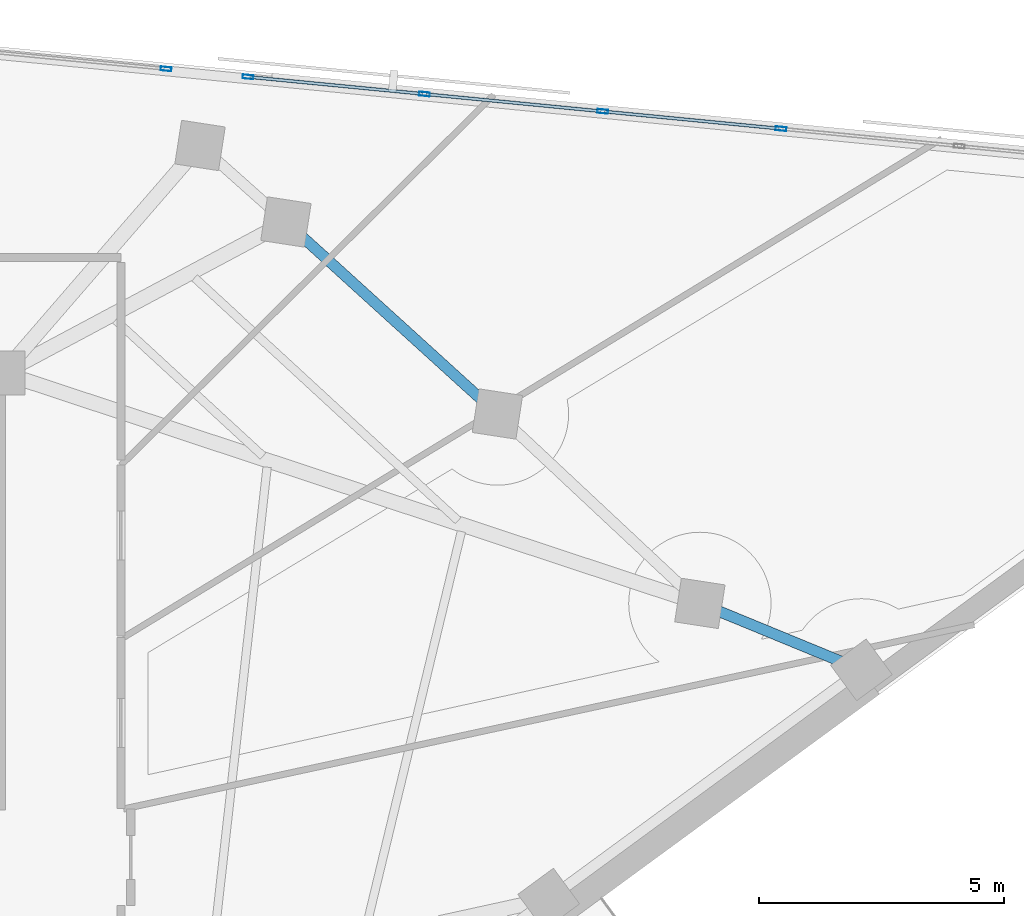
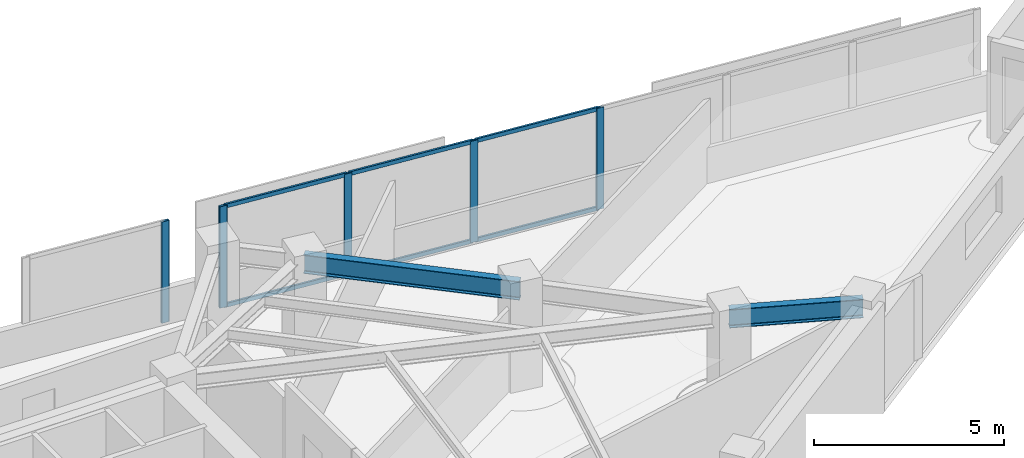
# One storey, part 5 of 13: 11 members, 2 beams, 2 elements without a shape of their own.
"""IFC4 building model written with IfcOpenShell, lengths in metres."""

from ifc_helpers import new_model, si_unit, direction, frame, origin, origin_2d, place, context, subcontext, project, spatial, hollow_rectangle, i_section, extrude, material, material_profile, profile_set, type_object, element, aggregate, save


model = new_model("IFC4")

# Units and contexts
model_context = context("Model", 3, precision=1e-05, world=origin(), true_north=direction((0.0, 1.0)))
body_context = subcontext(model_context, "Body", "Model", "MODEL_VIEW")
ifc_project = project(units=[si_unit("LENGTHUNIT", "METRE"), si_unit("AREAUNIT", "SQUARE_METRE"), si_unit("VOLUMEUNIT", "CUBIC_METRE"), si_unit("PLANEANGLEUNIT", "RADIAN"), si_unit("MASSUNIT", "GRAM", prefix="KILO")], contexts=[model_context])

# Site, building, storey
site_placement = place(None, origin())
site = spatial("IfcSite", under=ifc_project, at=site_placement, CompositionType="ELEMENT")
building_placement = place(site_placement, origin())
building = spatial("IfcBuilding", under=site, at=building_placement, Name="Narakoshi Arena Tower", CompositionType="ELEMENT")
storey_placement = place(building_placement, frame((0.0, 0.0, 232.580078125)))
storey = spatial("IfcBuildingStorey", under=building, at=storey_placement, Name="L63", CompositionType="ELEMENT", Elevation=232.580078125)

# Beams
ifc_material_1 = material(Name="Structural steel S355J2", Category="steel")
ifc_material_profile_1 = material_profile(ifc_material_1, i_section(OverallWidth=0.219970703125, OverallDepth=0.60009765625, WebThickness=0.011962890625, FlangeThickness=0.01904296875, FilletRadius=0.02392578125, at=origin_2d()), Name="IPE600")
ifc_profile_set_1 = profile_set([ifc_material_profile_1], Name="Structural steel S355J2")
beam_type = type_object("IfcBeamType", Name="BM-EDGE-600", PredefinedType="BEAM", material=ifc_profile_set_1)
beam_1_placement = place(storey_placement, frame((103.032470703125, 50.45361328125, 2.9599609375), z_axis=(-0.924787502584, 0.380484001063, 0.0), x_axis=(-0.380484001063, -0.924787502584, 0.0)))
element("IfcBeam", 1, at=beam_1_placement, inside=storey, type_object=beam_type, Name="L63 Perimeter Edge Girder 03", PredefinedType="BEAM", context=body_context, shape_type="SweptSolid", body=[
    extrude(i_section(OverallWidth=0.219970703125, OverallDepth=0.60009765625, WebThickness=0.011962890625, FlangeThickness=0.01904296875, FilletRadius=0.02392578125, at=origin_2d()), origin(), (0.0, 0.0, 1.0), 3.557373046875),
])
beam_2_placement = place(storey_placement, frame((95.619384765625, 55.665283203125, 2.9599609375), z_axis=(-0.740395559013, 0.672171418757, 0.0), x_axis=(-0.672171418757, -0.740395559013, 0.0)))
element("IfcBeam", 2, at=beam_2_placement, inside=storey, type_object=beam_type, Name="L63 Perimeter Edge Girder 05", PredefinedType="BEAM", context=body_context, shape_type="SweptSolid", body=[
    extrude(i_section(OverallWidth=0.219970703125, OverallDepth=0.60009765625, WebThickness=0.011962890625, FlangeThickness=0.01904296875, FilletRadius=0.02392578125, at=origin_2d()), origin(), (0.0, 0.0, 1.0), 5.818603515625),
])

# Curtain wall, members
ifc_material_2 = material(Name="Anodised bronze aluminium 6063-T6", Category="aluminium")
curtain_wall_type = type_object("IfcCurtainWallType", Name="CW-HYP-HIGH", PredefinedType="NOTDEFINED", material=ifc_material_2)
curtain_wall_1_placement = place(storey_placement, origin())
curtain_wall_1 = element("IfcCurtainWall", 3, at=curtain_wall_1_placement, inside=storey, type_object=curtain_wall_type, Name="L63 Folded Hypotenuse Curtain Wall 1-1", PredefinedType="NOTDEFINED")
ifc_material_profile_2 = material_profile(ifc_material_2, hollow_rectangle(XDim=0.080078125, YDim=0.219970703125, WallThickness=0.0048828125, OuterFilletRadius=0.006103515625, at=origin_2d()), Name="MUL220x80x5")
ifc_profile_set_2 = profile_set([ifc_material_profile_2], Name="Anodised bronze aluminium 6063-T6")
member_type_1 = type_object("IfcMemberType", Name="MEM-MUL-220", PredefinedType="MULLION", material=ifc_profile_set_2)
member_1_placement = place(storey_placement, frame((101.3955078125, 61.47509765625, 0.0), z_axis=(0.0, 0.0, 1.0), x_axis=(-0.096851320996, -0.995298860454, 0.0)))
member_1 = element("IfcMember", 4, at=member_1_placement, type_object=member_type_1, Name="CW-03 mullion 4", PredefinedType="MULLION", context=body_context, shape_type="SweptSolid", body=[
    extrude(hollow_rectangle(XDim=0.080078125, YDim=0.219970703125, WallThickness=0.0048828125, OuterFilletRadius=0.006103515625, at=origin_2d()), origin(), (0.0, 0.0, 1.0), 3.260009765625),
])
member_2_placement = place(storey_placement, frame((97.763916015625, 61.828369140625, 0.0), z_axis=(0.0, 0.0, 1.0), x_axis=(-0.096851320996, -0.995298860454, 0.0)))
member_2 = element("IfcMember", 5, at=member_2_placement, type_object=member_type_1, Name="CW-03 mullion 5", PredefinedType="MULLION", context=body_context, shape_type="SweptSolid", body=[
    extrude(hollow_rectangle(XDim=0.080078125, YDim=0.219970703125, WallThickness=0.0048828125, OuterFilletRadius=0.006103515625, at=origin_2d()), origin(), (0.0, 0.0, 1.0), 3.260009765625),
])
member_3_placement = place(storey_placement, frame((94.13232421875, 62.181884765625, 0.0), z_axis=(0.0, 0.0, 1.0), x_axis=(-0.096851320996, -0.995298860454, 0.0)))
member_3 = element("IfcMember", 6, at=member_3_placement, type_object=member_type_1, Name="CW-03 mullion 6", PredefinedType="MULLION", context=body_context, shape_type="SweptSolid", body=[
    extrude(hollow_rectangle(XDim=0.080078125, YDim=0.219970703125, WallThickness=0.0048828125, OuterFilletRadius=0.006103515625, at=origin_2d()), origin(), (0.0, 0.0, 1.0), 3.260009765625),
])
member_4_placement = place(storey_placement, frame((90.54052734375, 62.53125, 0.0), z_axis=(0.0, 0.0, 1.0), x_axis=(-0.096851320996, -0.995298860454, 0.0)))
member_4 = element("IfcMember", 7, at=member_4_placement, type_object=member_type_1, Name="CW-03 mullion 7", PredefinedType="MULLION", context=body_context, shape_type="SweptSolid", body=[
    extrude(hollow_rectangle(XDim=0.080078125, YDim=0.219970703125, WallThickness=0.0048828125, OuterFilletRadius=0.006103515625, at=origin_2d()), origin(), (0.0, 0.0, 1.0), 3.260009765625),
])

# Curtain wall, member
curtain_wall_2_placement = place(storey_placement, origin())
curtain_wall_2 = element("IfcCurtainWall", 8, at=curtain_wall_2_placement, inside=storey, type_object=curtain_wall_type, Name="L63 Folded Hypotenuse Curtain Wall 1-2", PredefinedType="NOTDEFINED")
member_5_placement = place(storey_placement, frame((88.87060546875, 62.69384765625, 0.0), z_axis=(0.0, 0.0, 1.0), x_axis=(-0.096842858471, -0.995299683896, 0.0)))
member_5 = element("IfcMember", 9, at=member_5_placement, type_object=member_type_1, Name="CW-03 mullion 1", PredefinedType="MULLION", context=body_context, shape_type="SweptSolid", body=[
    extrude(hollow_rectangle(XDim=0.080078125, YDim=0.219970703125, WallThickness=0.0048828125, OuterFilletRadius=0.006103515625, at=origin_2d()), origin(), (0.0, 0.0, 1.0), 3.260009765625),
])
aggregate(curtain_wall_2, [member_5])

# Member
ifc_material_profile_3 = material_profile(ifc_material_2, hollow_rectangle(XDim=0.06494140625, YDim=0.1298828125, WallThickness=0.00390625, OuterFilletRadius=0.0048828125, at=origin_2d()), Name="TRN130x65x4")
ifc_profile_set_3 = profile_set([ifc_material_profile_3], Name="Anodised bronze aluminium 6063-T6")
member_type_2 = type_object("IfcMemberType", Name="MEM-TRN-130", PredefinedType="USERDEFINED", material=ifc_profile_set_3)
member_6_placement = place(storey_placement, frame((101.355712890625, 61.47900390625, 0.032470703125), z_axis=(-0.995303775278, 0.096800800194, 0.0), x_axis=(-0.096800800194, -0.995303775278, 0.0)))
member_6 = element("IfcMember", 10, at=member_6_placement, type_object=member_type_2, Name="CW-03 transom 4.1", ObjectType="TRANSOM", PredefinedType="USERDEFINED", context=body_context, shape_type="SweptSolid", body=[
    extrude(hollow_rectangle(XDim=0.06494140625, YDim=0.1298828125, WallThickness=0.00390625, OuterFilletRadius=0.0048828125, at=origin_2d()), origin(), (0.0, 0.0, 1.0), 3.56884765625),
])

member_7_placement = place(storey_placement, frame((101.355712890625, 61.47900390625, 3.2275390625), z_axis=(-0.995303775278, 0.096800800194, 0.0), x_axis=(-0.096800800194, -0.995303775278, 0.0)))
member_7 = element("IfcMember", 11, at=member_7_placement, type_object=member_type_2, Name="CW-03 transom 4.2", ObjectType="TRANSOM", PredefinedType="USERDEFINED", context=body_context, shape_type="SweptSolid", body=[
    extrude(hollow_rectangle(XDim=0.06494140625, YDim=0.1298828125, WallThickness=0.00390625, OuterFilletRadius=0.0048828125, at=origin_2d()), origin(), (0.0, 0.0, 1.0), 3.56884765625),
])

member_8_placement = place(storey_placement, frame((97.72412109375, 61.832275390625, 0.032470703125), z_axis=(-0.995297181926, 0.096868568947, 0.0), x_axis=(-0.096868568947, -0.995297181926, 0.0)))
member_8 = element("IfcMember", 12, at=member_8_placement, type_object=member_type_2, Name="CW-03 transom 5.1", ObjectType="TRANSOM", PredefinedType="USERDEFINED", context=body_context, shape_type="SweptSolid", body=[
    extrude(hollow_rectangle(XDim=0.06494140625, YDim=0.1298828125, WallThickness=0.00390625, OuterFilletRadius=0.0048828125, at=origin_2d()), origin(), (0.0, 0.0, 1.0), 3.56884765625),
])

member_9_placement = place(storey_placement, frame((97.72412109375, 61.832275390625, 3.2275390625), z_axis=(-0.995297181926, 0.096868568947, 0.0), x_axis=(-0.096868568947, -0.995297181926, 0.0)))
member_9 = element("IfcMember", 13, at=member_9_placement, type_object=member_type_2, Name="CW-03 transom 5.2", ObjectType="TRANSOM", PredefinedType="USERDEFINED", context=body_context, shape_type="SweptSolid", body=[
    extrude(hollow_rectangle(XDim=0.06494140625, YDim=0.1298828125, WallThickness=0.00390625, OuterFilletRadius=0.0048828125, at=origin_2d()), origin(), (0.0, 0.0, 1.0), 3.56884765625),
])

member_10_placement = place(storey_placement, frame((94.092529296875, 62.185791015625, 0.032470703125), z_axis=(-0.995304755232, 0.096790723799, 0.0), x_axis=(-0.096790723799, -0.995304755232, 0.0)))
member_10 = element("IfcMember", 14, at=member_10_placement, type_object=member_type_2, Name="CW-03 transom 6.1", ObjectType="TRANSOM", PredefinedType="USERDEFINED", context=body_context, shape_type="SweptSolid", body=[
    extrude(hollow_rectangle(XDim=0.06494140625, YDim=0.1298828125, WallThickness=0.00390625, OuterFilletRadius=0.0048828125, at=origin_2d()), origin(), (0.0, 0.0, 1.0), 3.52880859375),
])

member_11_placement = place(storey_placement, frame((94.092529296875, 62.185791015625, 3.2275390625), z_axis=(-0.995304755232, 0.096790723799, 0.0), x_axis=(-0.096790723799, -0.995304755232, 0.0)))
member_11 = element("IfcMember", 15, at=member_11_placement, type_object=member_type_2, Name="CW-03 transom 6.2", ObjectType="TRANSOM", PredefinedType="USERDEFINED", context=body_context, shape_type="SweptSolid", body=[
    extrude(hollow_rectangle(XDim=0.06494140625, YDim=0.1298828125, WallThickness=0.00390625, OuterFilletRadius=0.0048828125, at=origin_2d()), origin(), (0.0, 0.0, 1.0), 3.52880859375),
])

aggregate(curtain_wall_1, [member_1, member_2, member_3, member_4, member_6, member_7, member_8, member_9, member_10, member_11])

save(model, "model.ifc")
